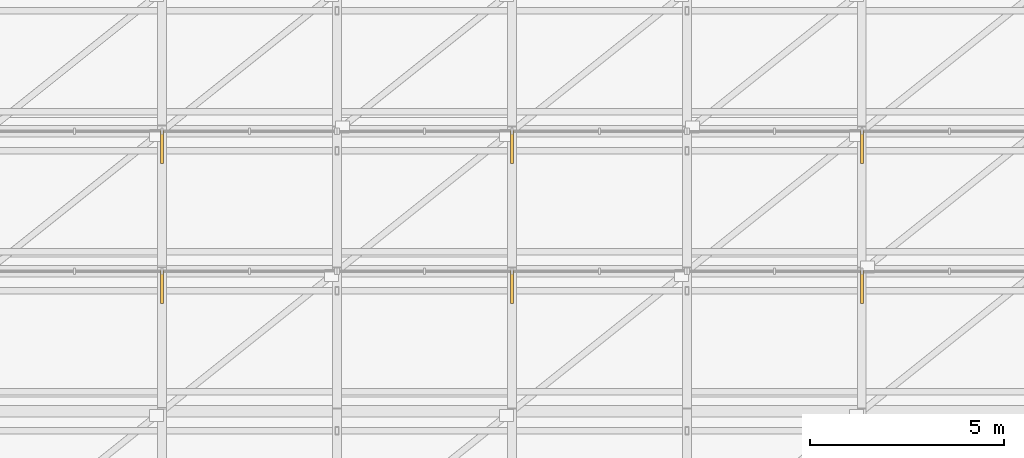
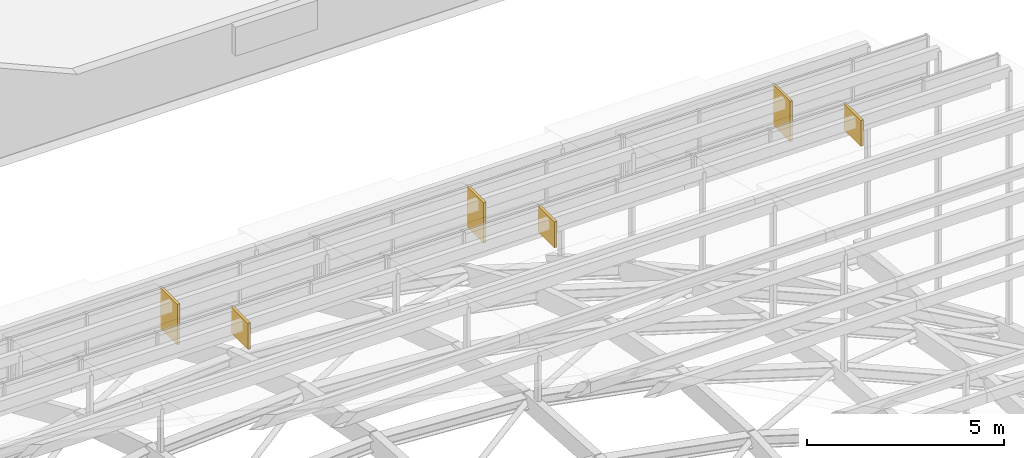
# One storey, part 66 of 69: 6 shading devices.
"""IFC4 building model written with IfcOpenShell, lengths in metres."""

from ifc_helpers import new_model, si_unit, direction, frame, origin, origin_2d, place, context, subcontext, project, spatial, rectangle, extrude, material, layer, layer_set, type_object, element, save


model = new_model("IFC4")

# Units and contexts
model_context = context("Model", 3, precision=1e-05, world=origin(), true_north=direction((0.0, 1.0)))
body_context = subcontext(model_context, "Body", "Model", "MODEL_VIEW")
ifc_project = project(units=[si_unit("LENGTHUNIT", "METRE"), si_unit("AREAUNIT", "SQUARE_METRE"), si_unit("VOLUMEUNIT", "CUBIC_METRE"), si_unit("PLANEANGLEUNIT", "RADIAN"), si_unit("MASSUNIT", "GRAM", prefix="KILO")], contexts=[model_context])

# Site, building, storey
site_placement = place(None, origin())
site = spatial("IfcSite", under=ifc_project, at=site_placement, CompositionType="ELEMENT")
building_placement = place(site_placement, origin())
building = spatial("IfcBuilding", under=site, at=building_placement, Name="Montealbar Specialist Clinic", CompositionType="ELEMENT")
storey_placement = place(building_placement, frame((0.0, 0.0, 9.60009765625)))
storey = spatial("IfcBuildingStorey", under=building, at=storey_placement, Name="L02", CompositionType="ELEMENT", Elevation=9.60009765625)

# Shading devices
ifc_material = material(Name="Glulam GL28h", Category="wood")
ifc_layer = layer(ifc_material, 0.074951171875, Name="Glulam GL28h", Category="wood")
ifc_layer_set = layer_set([ifc_layer], Name="Glulam GL28h")
shading_device_type = type_object("IfcShadingDeviceType", Name="SHD-SOLAR-FIN-850", PredefinedType="USERDEFINED", material=ifc_layer_set)
for number, where, z_axis, x_axis, name in (
    (1, (76.5, 73.39990234375, 9.97509765625), (0.0, 0.0, 1.0), (0.0, -1.0, 0.0), "Clerestory Glulam Solar Fin SD-013"),
    (2, (85.5, 73.39990234375, 9.97509765625), (0.0, 0.0, 1.0), (0.0, -1.0, 0.0), "Clerestory Glulam Solar Fin SD-014"),
    (3, (94.5, 73.39990234375, 9.97509765625), (0.0, 0.0, 1.0), (0.0, -1.0, 0.0), "Clerestory Glulam Solar Fin SD-015"),
):
    element("IfcShadingDevice", number, at=place(storey_placement, frame(where, z_axis=z_axis, x_axis=x_axis)), inside=storey, type_object=shading_device_type, Name=name, ObjectType="SOLAR FIN", PredefinedType="USERDEFINED", context=body_context, shape_type="SweptSolid", body=[
        extrude(rectangle(XDim=0.85009765625, YDim=0.074951171875, at=origin_2d()), origin(), (0.0, 0.0, 1.0), 0.803955078125),
    ])
for number, where, z_axis, x_axis, name in (
    (4, (76.5, 77.0, 7.9345703125), (0.0, 0.0, 1.0), (0.0, -1.0, 0.0), "Clerestory Glulam Solar Fin SD-018"),
    (5, (85.5, 77.0, 7.9345703125), (0.0, 0.0, 1.0), (0.0, -1.0, 0.0), "Clerestory Glulam Solar Fin SD-019"),
    (6, (94.5, 77.0, 7.9345703125), (0.0, 0.0, 1.0), (0.0, -1.0, 0.0), "Clerestory Glulam Solar Fin SD-020"),
):
    element("IfcShadingDevice", number, at=place(storey_placement, frame(where, z_axis=z_axis, x_axis=x_axis)), inside=storey, type_object=shading_device_type, Name=name, ObjectType="SOLAR FIN", PredefinedType="USERDEFINED", context=body_context, shape_type="SweptSolid", body=[
        extrude(rectangle(XDim=0.85009765625, YDim=0.074951171875, at=origin_2d()), origin(), (0.0, 0.0, 1.0), 1.257080078125),
    ])

save(model, "model.ifc")
